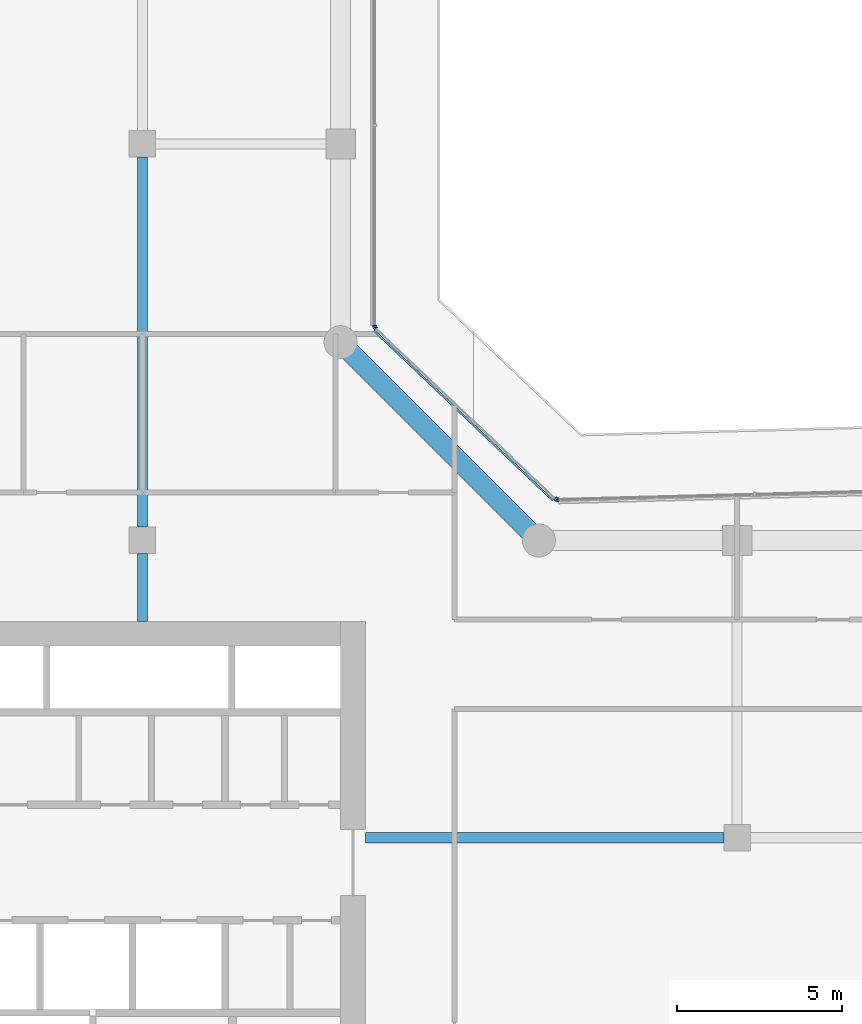
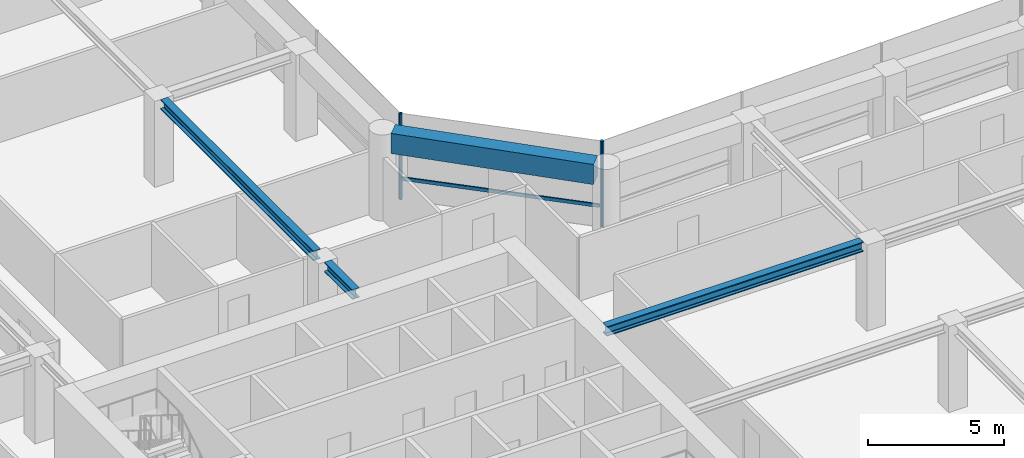
# One storey, part 5 of 23: 5 members, 4 beams, 3 elements without a shape of their own.
"""IFC4 building model written with IfcOpenShell, lengths in metres."""

from ifc_helpers import new_model, si_unit, direction, frame, origin, origin_2d, place, context, subcontext, project, spatial, rectangle, i_section, extrude, material, layer, layer_set, material_profile, profile_set, type_object, element, aggregate, save


model = new_model("IFC4")

# Units and contexts
model_context = context("Model", 3, precision=1e-05, world=origin(), true_north=direction((0.0, 1.0)))
body_context = subcontext(model_context, "Body", "Model", "MODEL_VIEW")
ifc_project = project(units=[si_unit("LENGTHUNIT", "METRE"), si_unit("AREAUNIT", "SQUARE_METRE"), si_unit("VOLUMEUNIT", "CUBIC_METRE"), si_unit("PLANEANGLEUNIT", "RADIAN"), si_unit("MASSUNIT", "GRAM", prefix="KILO")], contexts=[model_context])

# Site, building, storey
site_placement = place(None, origin())
site = spatial("IfcSite", under=ifc_project, at=site_placement, CompositionType="ELEMENT")
building_placement = place(site_placement, origin())
building = spatial("IfcBuilding", under=site, at=building_placement, Name="Welwitschia Terrace Campus", CompositionType="ELEMENT")
storey_placement = place(building_placement, frame((0.0, 0.0, 104.60009765625)))
storey = spatial("IfcBuildingStorey", under=building, at=storey_placement, Name="L23", CompositionType="ELEMENT", Elevation=104.60009765625)

# Beams
ifc_material_1 = material(Name="Steel S355", Category="steel")
ifc_material_profile_1 = material_profile(ifc_material_1, i_section(OverallWidth=0.306884765625, OverallDepth=0.431884765625, WebThickness=0.02099609375, FlangeThickness=0.0400390625, FilletRadius=0.027099609375, at=origin_2d()))
ifc_profile_set_1 = profile_set([ifc_material_profile_1], Name="Steel S355")
beam_type_1 = type_object("IfcBeamType", Name="Interior girder HE 400 M", PredefinedType="BEAM", material=ifc_profile_set_1)
beam_1_placement = place(storey_placement, frame((24.7509765625, 19.0, 3.6337890625), z_axis=(1.0, 0.0, 0.0), x_axis=(0.0, 1.0, 0.0)))
element("IfcBeam", 1, at=beam_1_placement, inside=storey, type_object=beam_type_1, Name="Girder GB3", PredefinedType="BEAM", context=body_context, shape_type="SweptSolid", body=[
    extrude(i_section(OverallWidth=0.306884765625, OverallDepth=0.431884765625, WebThickness=0.02099609375, FlangeThickness=0.0400390625, FilletRadius=0.027099609375, at=origin_2d()), origin(), (0.0, 0.0, 1.0), 10.8486328125),
])
beam_2_placement = place(storey_placement, frame((18.0, 25.551025390625, 3.6337890625), z_axis=(0.0, 1.0, 0.0), x_axis=(-1.0, 0.0, 0.0)))
element("IfcBeam", 2, at=beam_2_placement, inside=storey, type_object=beam_type_1, Name="Girder GB3", PredefinedType="BEAM", context=body_context, shape_type="SweptSolid", body=[
    extrude(i_section(OverallWidth=0.306884765625, OverallDepth=0.431884765625, WebThickness=0.02099609375, FlangeThickness=0.0400390625, FilletRadius=0.027099609375, at=origin_2d()), origin(), (0.0, 0.0, 1.0), 2.048583984375),
])
beam_3_placement = place(storey_placement, frame((18.0, 28.400390625, 3.6337890625), z_axis=(0.0, 1.0, 0.0), x_axis=(-1.0, 0.0, 0.0)))
element("IfcBeam", 3, at=beam_3_placement, inside=storey, type_object=beam_type_1, Name="Girder GB3", PredefinedType="BEAM", context=body_context, shape_type="SweptSolid", body=[
    extrude(i_section(OverallWidth=0.306884765625, OverallDepth=0.431884765625, WebThickness=0.02099609375, FlangeThickness=0.0400390625, FilletRadius=0.027099609375, at=origin_2d()), origin(), (0.0, 0.0, 1.0), 11.19921875),
])

# Curtain wall, member
ifc_material_2 = material(Name="Bronze anodised aluminium", Category="aluminium")
ifc_layer = layer(ifc_material_2, 0.1201171875)
ifc_layer_set = layer_set([ifc_layer], Name="Bronze anodised aluminium")
curtain_wall_type = type_object("IfcCurtainWallType", Name="Curtain wall CW2 tower 6000", PredefinedType="NOTDEFINED", material=ifc_layer_set)
curtain_wall_1_placement = place(storey_placement, origin())
curtain_wall_1 = element("IfcCurtainWall", 4, at=curtain_wall_1_placement, inside=storey, type_object=curtain_wall_type, Name="CW L23.7.0", PredefinedType="NOTDEFINED")
ifc_material_3 = material(Name="Bronze anodised aluminium", Category="aluminium")
ifc_material_profile_2 = material_profile(ifc_material_3, rectangle(XDim=0.1201171875, YDim=0.06005859375, at=origin_2d()))
ifc_profile_set_2 = profile_set([ifc_material_profile_2], Name="Bronze anodised aluminium")
member_type_1 = type_object("IfcMemberType", Name="Mullion 60x120", PredefinedType="MULLION", material=ifc_profile_set_2)
member_1_placement = place(storey_placement, frame((30.5625, 29.235107421875, 0.0), z_axis=(0.0, 0.0, 1.0), x_axis=(0.026176948308, -0.999657324976, 0.0)))
member_1 = element("IfcMember", 5, at=member_1_placement, type_object=member_type_1, Name="Mullion L23.7.0.3", PredefinedType="MULLION", context=body_context, shape_type="SweptSolid", body=[
    extrude(rectangle(XDim=0.1201171875, YDim=0.06005859375, at=origin_2d()), origin(), (0.0, 0.0, 1.0), 3.849853515625),
])
aggregate(curtain_wall_1, [member_1])

# Curtain wall, members
curtain_wall_2_placement = place(storey_placement, origin())
curtain_wall_2 = element("IfcCurtainWall", 6, at=curtain_wall_2_placement, inside=storey, type_object=curtain_wall_type, Name="CW L23.8.0", PredefinedType="NOTDEFINED")
member_2_placement = place(storey_placement, frame((30.5107421875, 29.2548828125, 0.0), z_axis=(0.0, 0.0, 1.0), x_axis=(-0.688354575694, -0.725374371012, 0.0)))
member_2 = element("IfcMember", 7, at=member_2_placement, type_object=member_type_1, Name="Mullion L23.8.0.0", PredefinedType="MULLION", context=body_context, shape_type="SweptSolid", body=[
    extrude(rectangle(XDim=0.1201171875, YDim=0.06005859375, at=origin_2d()), origin(), (0.0, 0.0, 1.0), 3.849853515625),
])
member_3_placement = place(storey_placement, frame((25.0517578125, 34.435302734375, 0.0), z_axis=(0.0, 0.0, 1.0), x_axis=(-0.688354575694, -0.725374371012, 0.0)))
member_3 = element("IfcMember", 8, at=member_3_placement, type_object=member_type_1, Name="Mullion L23.8.0.1", PredefinedType="MULLION", context=body_context, shape_type="SweptSolid", body=[
    extrude(rectangle(XDim=0.1201171875, YDim=0.06005859375, at=origin_2d()), origin(), (0.0, 0.0, 1.0), 3.849853515625),
])

# Curtain wall, member
curtain_wall_3_placement = place(storey_placement, origin())
curtain_wall_3 = element("IfcCurtainWall", 9, at=curtain_wall_3_placement, inside=storey, type_object=curtain_wall_type, Name="CW L23.9.0", PredefinedType="NOTDEFINED")
member_4_placement = place(storey_placement, frame((25.030029296875, 34.486083984375, 0.0), z_axis=(0.0, 0.0, 1.0), x_axis=(-1.0, 0.0, 0.0)))
member_4 = element("IfcMember", 10, at=member_4_placement, type_object=member_type_1, Name="Mullion L23.9.0.0", PredefinedType="MULLION", context=body_context, shape_type="SweptSolid", body=[
    extrude(rectangle(XDim=0.1201171875, YDim=0.06005859375, at=origin_2d()), origin(), (0.0, 0.0, 1.0), 3.849853515625),
])
aggregate(curtain_wall_3, [member_4])

# Beam
ifc_material_4 = material(Name="Concrete C60/75", Category="concrete")
ifc_material_profile_3 = material_profile(ifc_material_4, rectangle(XDim=0.60009765625, YDim=0.89990234375, at=origin_2d()))
ifc_profile_set_3 = profile_set([ifc_material_profile_3], Name="Concrete C60/75")
beam_type_2 = type_object("IfcBeamType", Name="Ring spandrel 600x900", PredefinedType="SPANDREL", material=ifc_profile_set_3)
beam_4_placement = place(storey_placement, frame((29.716796875, 28.283203125, 3.39990234375), z_axis=(-0.707106781187, 0.707106781187, 0.0), x_axis=(-0.707106781187, -0.707106781187, 0.0)))
element("IfcBeam", 11, at=beam_4_placement, inside=storey, type_object=beam_type_2, Name="Spandrel SP2", PredefinedType="SPANDREL", context=body_context, shape_type="SweptSolid", body=[
    extrude(rectangle(XDim=0.60009765625, YDim=0.89990234375, at=origin_2d()), origin(), (0.0, 0.0, 1.0), 7.684326171875),
])

# Member
ifc_material_5 = material(Name="Bronze anodised aluminium", Category="aluminium")
ifc_material_profile_4 = material_profile(ifc_material_5, rectangle(XDim=0.06005859375, YDim=0.14990234375, at=origin_2d()))
ifc_profile_set_4 = profile_set([ifc_material_profile_4], Name="Bronze anodised aluminium")
member_type_2 = type_object("IfcMemberType", Name="Transom 60x150", PredefinedType="USERDEFINED", material=ifc_profile_set_4)
member_5_placement = place(storey_placement, frame((30.42724609375, 29.210205078125, 1.0), z_axis=(-0.725388755285, 0.688339417516, 0.0), x_axis=(-0.688339417516, -0.725388755285, 0.0)))
member_5 = element("IfcMember", 12, at=member_5_placement, type_object=member_type_2, Name="Transom L23.8.0", ObjectType="TRANSOM", PredefinedType="USERDEFINED", context=body_context, shape_type="SweptSolid", body=[
    extrude(rectangle(XDim=0.06005859375, YDim=0.14990234375, at=origin_2d()), origin(), (0.0, 0.0, 1.0), 7.466064453125),
])

aggregate(curtain_wall_2, [member_2, member_3, member_5])

save(model, "model.ifc")
